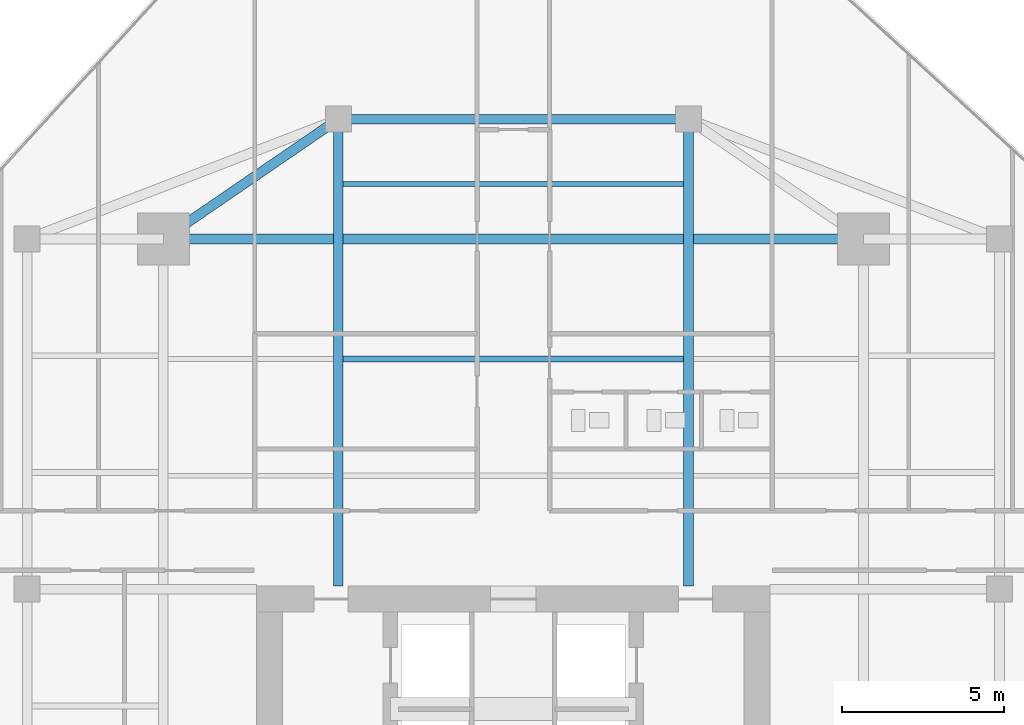
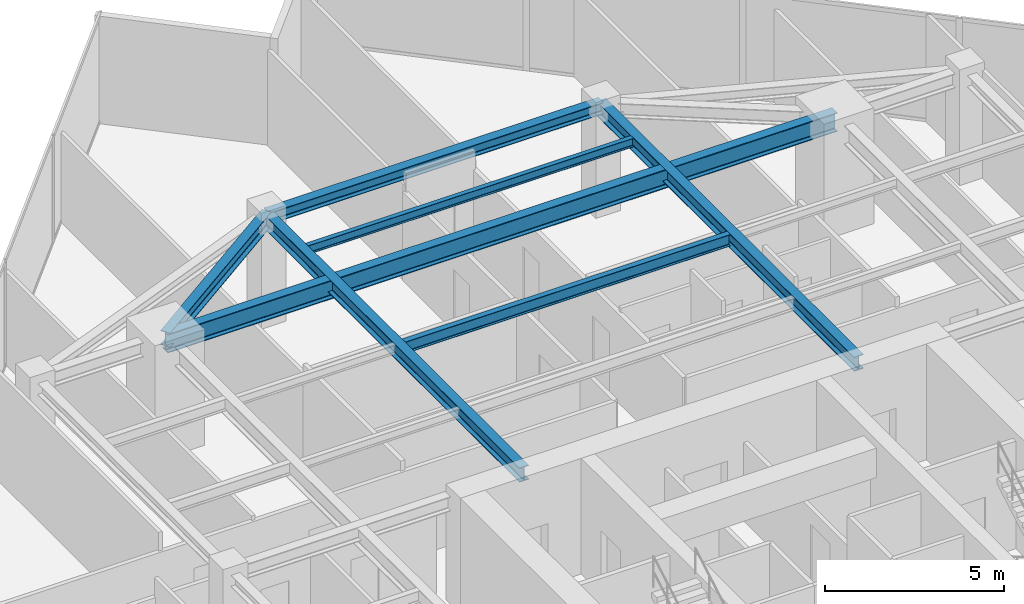
# One storey, part 16 of 26: 7 beams.
"""IFC4 building model written with IfcOpenShell, lengths in metres."""

import ifcopenshell
import ifcopenshell.guid

model = None  # the IFC model being written
_history = None  # IfcOwnerHistory: only IFC2X3 demands one
_inside = {}  # id of a spatial element -> (the spatial element, [elements in it])
_under = {}  # id of a project, library or spatial element -> (it, [spatial elements below it])
_declared = {}  # id of a project -> (the project, [libraries it declares])
_typed = {}  # id of a type object -> (the type object, [elements of that type])
_made_of = {}  # id of a material, layer set ... -> (it, [elements and type objects made of it])


def new_model(schema):
    """Start an empty IFC model of exactly this schema.

    Asked for "IFC4X3", IfcOpenShell would pick the latest addendum, in which some entities
    have other attributes; the version numbers below select the first issue.
    IFC2X3 requires an IfcOwnerHistory on every rooted entity: one is made here for all.
    """
    global model, _history
    if schema == "IFC4X3":
        model = ifcopenshell.file(schema_version=(4, 3, 0, 0))
    else:
        model = ifcopenshell.file(schema=schema)
    _inside.clear()
    _under.clear()
    _declared.clear()
    _typed.clear()
    _made_of.clear()
    _history = None
    if model.schema == "IFC2X3":
        org = make("IfcOrganization", Name="unknown")
        user = make(
            "IfcPersonAndOrganization",
            ThePerson=make("IfcPerson", FamilyName="unknown"),
            TheOrganization=org,
        )
        app = make(
            "IfcApplication",
            ApplicationDeveloper=org,
            Version="unknown",
            ApplicationFullName="unknown",
            ApplicationIdentifier="unknown",
        )
        _history = make(
            "IfcOwnerHistory",
            OwningUser=user,
            OwningApplication=app,
            ChangeAction="ADDED",
            CreationDate=0,
        )
    return model


def make(cls, **values):
    """One entity of the class cls with the attributes given. An attribute that is None is left unset."""
    return model.create_entity(
        cls, **{name: value for name, value in values.items() if value is not None}
    )


def rooted(cls, **values):
    """An entity with a GlobalId (a new one), such as an element, a storey or a relation."""
    return make(cls, GlobalId=ifcopenshell.guid.new(), OwnerHistory=_history, **values)


def si_unit(unit_type, name, prefix=None):
    """IfcSIUnit, for example si_unit("LENGTHUNIT", "METRE", prefix="MILLI")."""
    return make("IfcSIUnit", UnitType=unit_type, Prefix=prefix, Name=name)


def assignment(units):
    """IfcUnitAssignment: the units of a project."""
    return None if units is None else make("IfcUnitAssignment", Units=units)


def point(xyz):
    """IfcCartesianPoint."""
    return None if xyz is None else make("IfcCartesianPoint", Coordinates=xyz)


def direction(xyz):
    """IfcDirection."""
    return None if xyz is None else make("IfcDirection", DirectionRatios=xyz)


def frame(location, z_axis=None, x_axis=None):
    """IfcAxis2Placement3D, a coordinate frame: its origin and axes. An axis left out is left unset."""
    return make(
        "IfcAxis2Placement3D",
        Location=point(location),
        Axis=direction(z_axis),
        RefDirection=direction(x_axis),
    )


def frame_2d(location, x_axis=None):
    """IfcAxis2Placement2D, a coordinate frame in the plane: its origin and x axis."""
    return make(
        "IfcAxis2Placement2D", Location=point(location), RefDirection=direction(x_axis)
    )


def origin():
    """The frame at (0, 0, 0) with its axes left unset."""
    return frame((0.0, 0.0, 0.0))


def origin_2d():
    """The frame at (0, 0) in the plane with its x axis left unset."""
    return frame_2d((0.0, 0.0))


def place(relative_to, where):
    """IfcLocalPlacement: puts the frame where relative to a parent placement (None: the world)."""
    return make(
        "IfcLocalPlacement", PlacementRelTo=relative_to, RelativePlacement=where
    )


def context(
    kind, dimensions, precision=None, world=None, true_north=None, identifier=None
):
    """IfcGeometricRepresentationContext, for example the 3D "Model" context."""
    return make(
        "IfcGeometricRepresentationContext",
        ContextIdentifier=identifier,
        ContextType=kind,
        CoordinateSpaceDimension=dimensions,
        Precision=precision,
        WorldCoordinateSystem=world,
        TrueNorth=true_north,
    )


def subcontext(parent, identifier, kind, view, scale=None):
    """IfcGeometricRepresentationSubContext, for example "Body" below "Model"."""
    return make(
        "IfcGeometricRepresentationSubContext",
        ContextIdentifier=identifier,
        ContextType=kind,
        ParentContext=parent,
        TargetScale=scale,
        TargetView=view,
    )


def project(units=None, contexts=None):
    """IfcProject with its units and contexts."""
    return rooted(
        "IfcProject",
        Name="project",
        RepresentationContexts=contexts,
        UnitsInContext=assignment(units),
    )


def spatial(cls, under=None, at=None, **own):
    """A site, building, storey or space (cls), placed at a placement, below another one or the project."""
    s = rooted(cls, ObjectPlacement=at, **own)
    if under is not None:
        _under.setdefault(under.id(), (under, []))[1].append(s)
    return s


def profile(cls, at=None, kind="AREA", **sizes):
    """A parametric profile (cls). Its sizes go by their IFC names, for example OverallWidth=200.0."""
    return make(cls, ProfileType=kind, Position=at, **sizes)


def i_section(**sizes):
    """IfcIShapeProfileDef."""
    return profile("IfcIShapeProfileDef", **sizes)


def extrude(swept, where, along, depth):
    """IfcExtrudedAreaSolid: the profile swept, set in the frame where, extruded along a direction by depth."""
    return make(
        "IfcExtrudedAreaSolid",
        SweptArea=swept,
        Position=where,
        ExtrudedDirection=direction(along),
        Depth=depth,
    )


def shape(context_of_items, identifier, shape_type, items):
    """IfcShapeRepresentation: the items that make up one representation, for example the "Body"."""
    return make(
        "IfcShapeRepresentation",
        ContextOfItems=context_of_items,
        RepresentationIdentifier=identifier,
        RepresentationType=shape_type,
        Items=items,
    )


def source(mapping_origin, context_of_items, identifier, shape_type, items):
    """IfcRepresentationMap: a shape defined once, which mapped items show again and again."""
    return make(
        "IfcRepresentationMap",
        MappingOrigin=mapping_origin,
        MappedRepresentation=shape(context_of_items, identifier, shape_type, items),
    )


def transform(
    local_origin,
    x_axis=None,
    y_axis=None,
    z_axis=None,
    scale=None,
    scale2=None,
    scale3=None,
    uniform=True,
):
    """IfcCartesianTransformationOperator3D, or its non-uniform kind. x_axis, y_axis, z_axis: its Axis1, 2, 3."""
    if uniform:
        return make(
            "IfcCartesianTransformationOperator3D",
            Axis1=direction(x_axis),
            Axis2=direction(y_axis),
            LocalOrigin=point(local_origin),
            Scale=scale,
            Axis3=direction(z_axis),
        )
    return make(
        "IfcCartesianTransformationOperator3DnonUniform",
        Axis1=direction(x_axis),
        Axis2=direction(y_axis),
        LocalOrigin=point(local_origin),
        Scale=scale,
        Axis3=direction(z_axis),
        Scale2=scale2,
        Scale3=scale3,
    )


def mapped(mapping_source, mapping_target):
    """IfcMappedItem: shows the shape of a source again, moved by a transform."""
    return make(
        "IfcMappedItem", MappingSource=mapping_source, MappingTarget=mapping_target
    )


def material(Name=None, Category=None):
    """IfcMaterial."""
    return make("IfcMaterial", Name=Name, Category=Category)


def material_profile(
    of_material, cross_section, Name=None, Category=None, Priority=None
):
    """IfcMaterialProfile: a cross section and its material."""
    return make(
        "IfcMaterialProfile",
        Name=Name,
        Material=of_material,
        Profile=cross_section,
        Priority=Priority,
        Category=Category,
    )


def profile_set(profiles, Name=None, composite=None):
    """IfcMaterialProfileSet."""
    return make(
        "IfcMaterialProfileSet",
        Name=Name,
        MaterialProfiles=profiles,
        CompositeProfile=composite,
    )


def made_of(thing, what):
    """Note that an element or type object is made of a material, layer set ...; save() writes the relation."""
    if what is not None:
        _made_of.setdefault(what.id(), (what, []))[1].append(thing)
    return thing


def type_object(cls, material=None, **own):
    """A type object (cls), such as IfcWallType, which elements share."""
    return made_of(rooted(cls, **own), material)


def type_shapes(of_type, sources):
    """Give a type object the sources (RepresentationMaps) that its elements show as mapped items."""
    of_type.RepresentationMaps = sources


def element(
    cls,
    number,
    at=None,
    inside=None,
    cuts=None,
    type_object=None,
    material=None,
    context=None,
    identifier="Body",
    shape_type=None,
    held_by="IfcProductDefinitionShape",
    body=None,
    shapes=None,
    **own,
):
    """One element of the class cls, such as IfcWall. Its Tag is "e" and its number.

    at: its placement. inside: the storey or other place that contains it. cuts: it is an
    opening in that element (IfcRelVoidsElement). A single representation is given by context,
    identifier, shape_type and body (its items); several are given by shapes. held_by: the class
    of the entity that holds the representations. save() writes the other relations.
    """
    e = rooted(cls, Tag="e%d" % number, ObjectPlacement=at, **own)
    if body is not None:
        shapes = [shape(context, identifier, shape_type, body)]
    if shapes is not None:
        e.Representation = make(held_by, Representations=shapes)
    if inside is not None:
        _inside.setdefault(inside.id(), (inside, []))[1].append(e)
    if cuts is not None:
        rooted(
            "IfcRelVoidsElement", RelatingBuildingElement=cuts, RelatedOpeningElement=e
        )
    if type_object is not None:
        _typed.setdefault(type_object.id(), (type_object, []))[1].append(e)
    return made_of(e, material)


def aggregate(whole, parts):
    """IfcRelAggregates: a whole, such as a stair, and the parts it consists of."""
    return rooted("IfcRelAggregates", RelatingObject=whole, RelatedObjects=parts)


def save(model, path):
    """Write the relations noted so far, then the file.

    IfcRelAggregates (storeys below a building ...), IfcRelContainedInSpatialStructure (elements
    in a storey), IfcRelDefinesByType, IfcRelAssociatesMaterial and IfcRelDeclares: one each for
    every whole, place, type object, material and project.
    """
    for whole, parts in _under.values():
        aggregate(whole, parts)
    for where, things in _inside.values():
        rooted(
            "IfcRelContainedInSpatialStructure",
            RelatedElements=things,
            RelatingStructure=where,
        )
    for kind, things in _typed.values():
        rooted("IfcRelDefinesByType", RelatedObjects=things, RelatingType=kind)
    for what, things in _made_of.values():
        rooted("IfcRelAssociatesMaterial", RelatedObjects=things, RelatingMaterial=what)
    for by, libraries in _declared.values():
        rooted("IfcRelDeclares", RelatingContext=by, RelatedDefinitions=libraries)
    model.write(path)


model = new_model("IFC4")

# Units and contexts
model_context = context("Model", 3, precision=1e-05, world=origin(), true_north=direction((0.0, 1.0)))
body_context = subcontext(model_context, "Body", "Model", "MODEL_VIEW")
ifc_project = project(units=[si_unit("LENGTHUNIT", "METRE"), si_unit("AREAUNIT", "SQUARE_METRE"), si_unit("VOLUMEUNIT", "CUBIC_METRE"), si_unit("PLANEANGLEUNIT", "RADIAN"), si_unit("MASSUNIT", "GRAM", prefix="KILO")], contexts=[model_context])

# Site, building, storey
site_placement = place(None, origin())
site = spatial("IfcSite", under=ifc_project, at=site_placement, CompositionType="ELEMENT")
building_placement = place(site_placement, origin())
building = spatial("IfcBuilding", under=site, at=building_placement, Name="Krantzveldt Concourse Tower", CompositionType="ELEMENT")
storey_placement = place(building_placement, frame((0.0, 0.0, 219.14990234375)))
storey = spatial("IfcBuildingStorey", under=building, at=storey_placement, Name="L53", CompositionType="ELEMENT", Elevation=219.14990234375)

# Beams
ifc_material = material(Name="Steel S355JR", Category="steel")
ifc_material_profile_1 = material_profile(ifc_material, i_section(OverallWidth=0.300048828125, OverallDepth=0.639892578125, WebThickness=0.013427734375, FlangeThickness=0.02587890625, FilletRadius=0.027099609375, at=origin_2d()), Name="Steel S355JR", Category="steel")
ifc_profile_set_1 = profile_set([ifc_material_profile_1], Name="Steel S355JR - HEA 650")
beam_type_1 = type_object("IfcBeamType", Name="BM-B-HEA650", PredefinedType="BEAM", material=ifc_profile_set_1)
shared_shape_1 = source(origin(), body_context, "Body", "SweptSolid", [
    extrude(i_section(OverallWidth=0.300048828125, OverallDepth=0.639892578125, WebThickness=0.013427734375, FlangeThickness=0.02587890625, FilletRadius=0.027099609375, at=origin_2d()), origin(), (0.0, 0.0, 1.0), 21.60009765625),
])
type_shapes(beam_type_1, [shared_shape_1])
beam_1_placement = place(storey_placement, frame((25.199951171875, 37.5, 3.35009765625), z_axis=(1.0, 0.0, 0.0), x_axis=(0.0, 1.0, 0.0)))
element("IfcBeam", 1, at=beam_1_placement, inside=storey, type_object=beam_type_1, Name="L53 Tower Girder BG-MN", PredefinedType="BEAM", context=body_context, shape_type="MappedRepresentation", body=[
    mapped(shared_shape_1, transform((0.0, 0.0, 0.0), x_axis=(1.0, 0.0, 0.0), y_axis=(0.0, 1.0, 0.0), z_axis=(0.0, 0.0, 1.0), scale=1.0)),
])
ifc_material_profile_2 = material_profile(ifc_material, i_section(OverallWidth=0.179931640625, OverallDepth=0.39990234375, WebThickness=0.008544921875, FlangeThickness=0.013427734375, FilletRadius=0.02099609375, at=origin_2d()), Name="Steel S355JR", Category="steel")
ifc_profile_set_2 = profile_set([ifc_material_profile_2], Name="Steel S355JR - IPE 400")
beam_type_2 = type_object("IfcBeamType", Name="BM-J-IPE400", PredefinedType="JOIST", material=ifc_profile_set_2)
shared_shape_2 = source(origin(), body_context, "Body", "SweptSolid", [
    extrude(i_section(OverallWidth=0.179931640625, OverallDepth=0.39990234375, WebThickness=0.008544921875, FlangeThickness=0.013427734375, FilletRadius=0.02099609375, at=origin_2d()), origin(), (0.0, 0.0, 1.0), 10.5),
])
type_shapes(beam_type_2, [shared_shape_2])
beam_2_placement = place(storey_placement, frame((30.75, 33.800048828125, 3.47021484375), z_axis=(1.0, 0.0, 0.0), x_axis=(0.0, 1.0, 0.0)))
element("IfcBeam", 2, at=beam_2_placement, inside=storey, type_object=beam_type_2, Name="L53 Secondary Floor Joist JN-C2", PredefinedType="JOIST", context=body_context, shape_type="MappedRepresentation", body=[
    mapped(shared_shape_2, transform((0.0, 0.0, 0.0), x_axis=(1.0, 0.0, 0.0), y_axis=(0.0, 1.0, 0.0), z_axis=(0.0, 0.0, 1.0), scale=1.0)),
])
ifc_material_profile_3 = material_profile(ifc_material, i_section(OverallWidth=0.300048828125, OverallDepth=0.389892578125, WebThickness=0.010986328125, FlangeThickness=0.01904296875, FilletRadius=0.027099609375, at=origin_2d()), Name="Steel S355JR", Category="steel")
ifc_profile_set_3 = profile_set([ifc_material_profile_3], Name="Steel S355JR - HEA 400")
beam_type_3 = type_object("IfcBeamType", Name="BM-SP-HEA400", PredefinedType="SPANDREL", material=ifc_profile_set_3)
shared_shape_3 = source(origin(), body_context, "Body", "SweptSolid", [
    extrude(i_section(OverallWidth=0.300048828125, OverallDepth=0.389892578125, WebThickness=0.010986328125, FlangeThickness=0.01904296875, FilletRadius=0.027099609375, at=origin_2d()), origin(), (0.0, 0.0, 1.0), 10.7998046875),
])
type_shapes(beam_type_3, [shared_shape_3])
beam_3_placement = place(storey_placement, frame((30.60009765625, 41.199951171875, 3.47509765625), z_axis=(1.0, 0.0, 0.0), x_axis=(0.0, 1.0, 0.0)))
element("IfcBeam", 3, at=beam_3_placement, inside=storey, type_object=beam_type_3, Name="L53 Tower Girder SP-R04", PredefinedType="SPANDREL", context=body_context, shape_type="MappedRepresentation", body=[
    mapped(shared_shape_3, transform((0.0, 0.0, 0.0), x_axis=(1.0, 0.0, 0.0), y_axis=(0.0, 1.0, 0.0), z_axis=(0.0, 0.0, 1.0), scale=1.0)),
])
ifc_material_profile_4 = material_profile(ifc_material, i_section(OverallWidth=0.300048828125, OverallDepth=0.489990234375, WebThickness=0.011962890625, FlangeThickness=0.02294921875, FilletRadius=0.027099609375, at=origin_2d()), Name="Steel S355JR", Category="steel")
ifc_profile_set_4 = profile_set([ifc_material_profile_4], Name="Steel S355JR - HEA 500")
beam_type_4 = type_object("IfcBeamType", Name="BM-B-HEA500", PredefinedType="BEAM", material=ifc_profile_set_4)
shared_shape_4 = source(origin(), body_context, "Body", "SweptSolid", [
    extrude(i_section(OverallWidth=0.300048828125, OverallDepth=0.489990234375, WebThickness=0.011962890625, FlangeThickness=0.02294921875, FilletRadius=0.027099609375, at=origin_2d()), origin(), (0.0, 0.0, 1.0), 14.39990234375),
])
for number, where, z_axis, x_axis, name in (
    (4, (30.60009765625, 26.800048828125, 3.425048828125), (0.0, 1.0, 0.0), (-1.0, 0.0, 0.0), "L53 Tower Girder BG-CNW"),
    (5, (41.39990234375, 26.800048828125, 3.425048828125), (0.0, 1.0, 0.0), (-1.0, 0.0, 0.0), "L53 Tower Girder BG-CNE"),
):
    element("IfcBeam", number, at=place(storey_placement, frame(where, z_axis=z_axis, x_axis=x_axis)), inside=storey, type_object=beam_type_4, Name=name, PredefinedType="BEAM", context=body_context, shape_type="MappedRepresentation", body=[
        mapped(shared_shape_4, transform((0.0, 0.0, 0.0), x_axis=(1.0, 0.0, 0.0), y_axis=(0.0, 1.0, 0.0), z_axis=(0.0, 0.0, 1.0), scale=1.0)),
    ])
shared_shape_5 = source(origin(), body_context, "Body", "SweptSolid", [
    extrude(i_section(OverallWidth=0.300048828125, OverallDepth=0.489990234375, WebThickness=0.011962890625, FlangeThickness=0.02294921875, FilletRadius=0.027099609375, at=origin_2d()), origin(), (0.0, 0.0, 1.0), 6.546142578125),
])
type_shapes(beam_type_4, [shared_shape_4, shared_shape_5])
beam_4_placement = place(storey_placement, frame((25.199951171875, 37.5, 3.425048828125), z_axis=(0.824942999484, 0.565215930068, 0.0), x_axis=(-0.565215930068, 0.824942999484, 0.0)))
element("IfcBeam", 6, at=beam_4_placement, inside=storey, type_object=beam_type_4, Name="L53 Tower Girder BR-RL4", PredefinedType="BEAM", context=body_context, shape_type="MappedRepresentation", body=[
    mapped(shared_shape_5, transform((0.0, 0.0, 0.0), x_axis=(1.0, 0.0, 0.0), y_axis=(0.0, 1.0, 0.0), z_axis=(0.0, 0.0, 1.0), scale=1.0)),
])
ifc_material_profile_5 = material_profile(ifc_material, i_section(OverallWidth=0.14990234375, OverallDepth=0.300048828125, WebThickness=0.007080078125, FlangeThickness=0.0107421875, FilletRadius=0.014892578125, at=origin_2d()), Name="Steel S355JR", Category="steel")
ifc_profile_set_5 = profile_set([ifc_material_profile_5], Name="Steel S355JR - IPE 300")
beam_type_5 = type_object("IfcBeamType", Name="BM-J-IPE300", PredefinedType="JOIST", material=ifc_profile_set_5)
shared_shape_6 = source(origin(), body_context, "Body", "SweptSolid", [
    extrude(i_section(OverallWidth=0.14990234375, OverallDepth=0.300048828125, WebThickness=0.007080078125, FlangeThickness=0.0107421875, FilletRadius=0.014892578125, at=origin_2d()), origin(), (0.0, 0.0, 1.0), 10.5),
])
type_shapes(beam_type_5, [shared_shape_6])
beam_5_placement = place(storey_placement, frame((30.75, 39.199951171875, 3.52001953125), z_axis=(1.0, 0.0, 0.0), x_axis=(0.0, 1.0, 0.0)))
element("IfcBeam", 7, at=beam_5_placement, inside=storey, type_object=beam_type_5, Name="L53 Secondary Floor Joist JN-C3", PredefinedType="JOIST", context=body_context, shape_type="MappedRepresentation", body=[
    mapped(shared_shape_6, transform((0.0, 0.0, 0.0), x_axis=(1.0, 0.0, 0.0), y_axis=(0.0, 1.0, 0.0), z_axis=(0.0, 0.0, 1.0), scale=1.0)),
])

save(model, "model.ifc")
